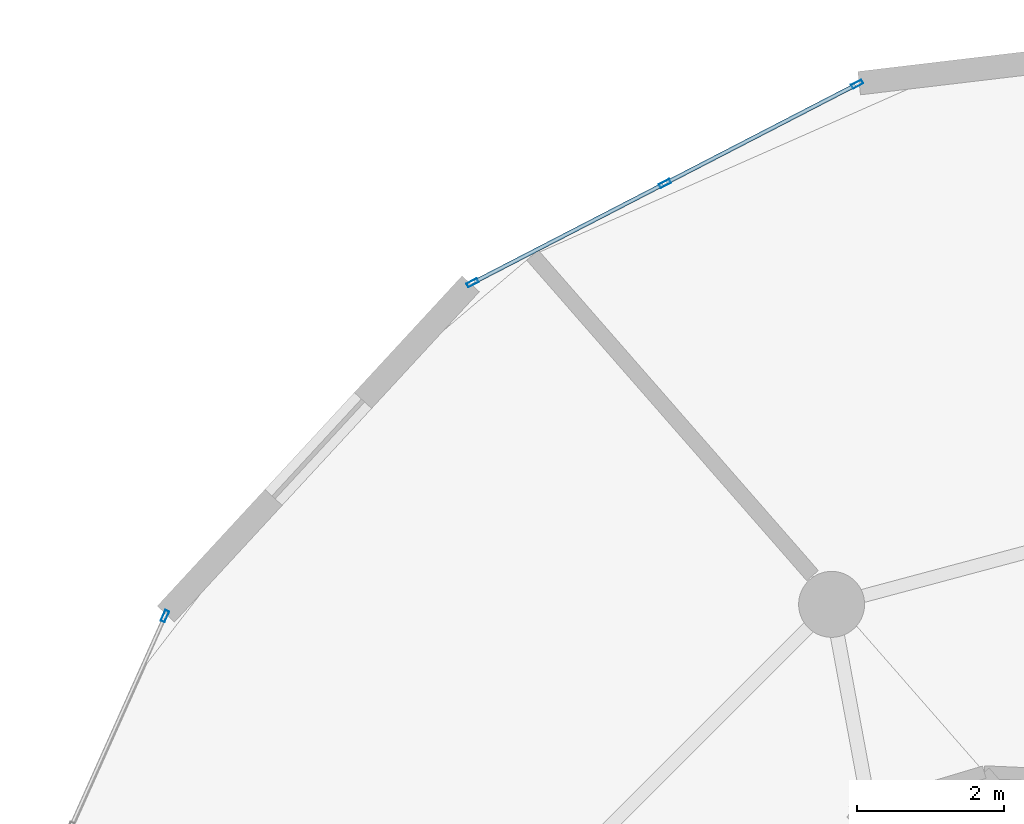
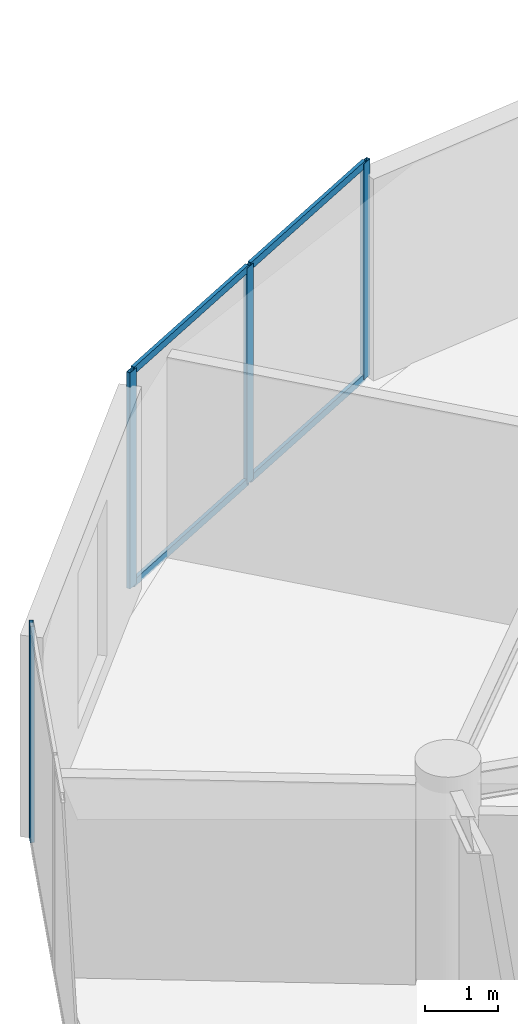
# One storey, part 13 of 22: 8 members, 2 elements without a shape of their own.
"""IFC4 building model written with IfcOpenShell, lengths in metres."""

from ifc_helpers import new_model, si_unit, direction, frame, origin, origin_2d, place, context, subcontext, project, spatial, hollow_rectangle, extrude, source, transform, mapped, material, layer, layer_set, material_profile, profile_set, type_object, element, aggregate, save


model = new_model("IFC4")

# Units and contexts
model_context = context("Model", 3, precision=1e-05, world=origin(), true_north=direction((0.0, 1.0)))
body_context = subcontext(model_context, "Body", "Model", "MODEL_VIEW")
ifc_project = project(units=[si_unit("LENGTHUNIT", "METRE"), si_unit("AREAUNIT", "SQUARE_METRE"), si_unit("VOLUMEUNIT", "CUBIC_METRE"), si_unit("PLANEANGLEUNIT", "RADIAN"), si_unit("MASSUNIT", "GRAM", prefix="KILO")], contexts=[model_context])

# Site, building, storey
site_placement = place(None, origin())
site = spatial("IfcSite", under=ifc_project, at=site_placement, CompositionType="ELEMENT")
building_placement = place(site_placement, origin())
building = spatial("IfcBuilding", under=site, at=building_placement, Name="Solvirekh Grand Hotel", CompositionType="ELEMENT")
storey_placement = place(building_placement, frame((0.0, 0.0, 227.199951171875)))
storey = spatial("IfcBuildingStorey", under=building, at=storey_placement, Name="L59", CompositionType="ELEMENT", Elevation=227.199951171875)

# Curtain wall, members
ifc_material = material(Name="Anodized Bronze Aluminium 6063-T6", Category="aluminium")
ifc_layer = layer(ifc_material, 0.159912109375)
ifc_layer_set = layer_set([ifc_layer], Name="Anodized Bronze Aluminium 6063-T6")
curtain_wall_type = type_object("IfcCurtainWallType", Name="CW_Sys4_HighZoneFlushBronzeCW", PredefinedType="NOTDEFINED", material=ifc_layer_set)
curtain_wall_1_placement = place(storey_placement, origin())
curtain_wall_1 = element("IfcCurtainWall", 1, at=curtain_wall_1_placement, inside=storey, type_object=curtain_wall_type, Name="L59 unitised bronze-glass curtain wall CW-L59-C11", PredefinedType="NOTDEFINED")
ifc_material_profile_1 = material_profile(ifc_material, hollow_rectangle(XDim=0.06005859375, YDim=0.159912109375, WallThickness=0.0048828125, at=origin_2d()), Name="ALU RHS 160X60X5")
ifc_profile_set_1 = profile_set([ifc_material_profile_1], Name="Anodized Bronze Aluminium 6063-T6")
member_type_1 = type_object("IfcMemberType", Name="CWMullion_Sys4", PredefinedType="MULLION", material=ifc_profile_set_1)
shared_shape_1 = source(origin(), body_context, "Body", "SweptSolid", [
    extrude(hollow_rectangle(XDim=0.06005859375, YDim=0.159912109375, WallThickness=0.0048828125, at=origin_2d()), origin(), (0.0, 0.0, 1.0), 3.60009765625),
])
member_1_placement = place(storey_placement, frame((-7.550537109375, 20.78125, 0.0), z_axis=(0.0, 0.0, 1.0), x_axis=(0.45890759983, -0.888483998065, 0.0)))
member_1 = element("IfcMember", 2, at=member_1_placement, type_object=member_type_1, Name="U04 mullion 1", PredefinedType="MULLION", context=body_context, shape_type="MappedRepresentation", body=[
    mapped(shared_shape_1, transform((0.0, 0.0, 0.0), x_axis=(1.0, 0.0, 0.0), y_axis=(0.0, 1.0, 0.0), z_axis=(0.0, 0.0, 1.0), scale=1.0)),
])
member_2_placement = place(storey_placement, frame((-10.174560546875, 19.426025390625, 0.0), z_axis=(0.0, 0.0, 1.0), x_axis=(0.45890759983, -0.888483998065, 0.0)))
member_2 = element("IfcMember", 3, at=member_2_placement, type_object=member_type_1, Name="U04 mullion 2", PredefinedType="MULLION", context=body_context, shape_type="MappedRepresentation", body=[
    mapped(shared_shape_1, transform((0.0, 0.0, 0.0), x_axis=(1.0, 0.0, 0.0), y_axis=(0.0, 1.0, 0.0), z_axis=(0.0, 0.0, 1.0), scale=1.0)),
])
member_3_placement = place(storey_placement, frame((-12.79833984375, 18.07080078125, 0.0), z_axis=(0.0, 0.0, 1.0), x_axis=(0.45890759983, -0.888483998065, 0.0)))
member_3 = element("IfcMember", 4, at=member_3_placement, type_object=member_type_1, Name="U04 mullion 3", PredefinedType="MULLION", context=body_context, shape_type="MappedRepresentation", body=[
    mapped(shared_shape_1, transform((0.0, 0.0, 0.0), x_axis=(1.0, 0.0, 0.0), y_axis=(0.0, 1.0, 0.0), z_axis=(0.0, 0.0, 1.0), scale=1.0)),
])

# Curtain wall, member
curtain_wall_2_placement = place(storey_placement, origin())
curtain_wall_2 = element("IfcCurtainWall", 5, at=curtain_wall_2_placement, inside=storey, type_object=curtain_wall_type, Name="L59 unitised bronze-glass curtain wall CW-L59-C13", PredefinedType="NOTDEFINED")
member_4_placement = place(storey_placement, frame((-16.996337890625, 13.523681640625, 0.0), z_axis=(0.0, 0.0, 1.0), x_axis=(0.912821322646, -0.408359195958, 0.0)))
member_4 = element("IfcMember", 6, at=member_4_placement, type_object=member_type_1, Name="U04 mullion 1", PredefinedType="MULLION", context=body_context, shape_type="MappedRepresentation", body=[
    mapped(shared_shape_1, transform((0.0, 0.0, 0.0), x_axis=(1.0, 0.0, 0.0), y_axis=(0.0, 1.0, 0.0), z_axis=(0.0, 0.0, 1.0), scale=1.0)),
])
aggregate(curtain_wall_2, [member_4])

# Member
ifc_material_profile_2 = material_profile(ifc_material, hollow_rectangle(XDim=0.054931640625, YDim=0.1201171875, WallThickness=0.00390625, at=origin_2d()), Name="ALU RHS 120X55X4")
ifc_profile_set_2 = profile_set([ifc_material_profile_2], Name="Anodized Bronze Aluminium 6063-T6")
member_type_2 = type_object("IfcMemberType", Name="CWTransom_Sys4", PredefinedType="USERDEFINED", material=ifc_profile_set_2)
shared_shape_2 = source(origin(), body_context, "Body", "SweptSolid", [
    extrude(hollow_rectangle(XDim=0.054931640625, YDim=0.1201171875, WallThickness=0.00390625, at=origin_2d()), origin(), (0.0, 0.0, 1.0), 2.893310546875),
])
member_5_placement = place(storey_placement, frame((-7.577392578125, 20.767578125, 0.027587890625), z_axis=(-0.88845974241, -0.45895455779, 0.0), x_axis=(0.45895455779, -0.88845974241, 0.0)))
member_5 = element("IfcMember", 7, at=member_5_placement, type_object=member_type_2, Name="U04 transom 1.1", ObjectType="TRANSOM", PredefinedType="USERDEFINED", context=body_context, shape_type="MappedRepresentation", body=[
    mapped(shared_shape_2, transform((0.0, 0.0, 0.0), x_axis=(1.0, 0.0, 0.0), y_axis=(0.0, 1.0, 0.0), z_axis=(0.0, 0.0, 1.0), scale=1.0)),
])

member_6_placement = place(storey_placement, frame((-7.577392578125, 20.767578125, 3.572509765625), z_axis=(-0.88845974241, -0.45895455779, 0.0), x_axis=(0.45895455779, -0.88845974241, 0.0)))
member_6 = element("IfcMember", 8, at=member_6_placement, type_object=member_type_2, Name="U04 transom 1.2", ObjectType="TRANSOM", PredefinedType="USERDEFINED", context=body_context, shape_type="MappedRepresentation", body=[
    mapped(shared_shape_2, transform((0.0, 0.0, 0.0), x_axis=(1.0, 0.0, 0.0), y_axis=(0.0, 1.0, 0.0), z_axis=(0.0, 0.0, 1.0), scale=1.0)),
])

member_7_placement = place(storey_placement, frame((-10.201171875, 19.412353515625, 0.027587890625), z_axis=(-0.88845974241, -0.45895455779, 0.0), x_axis=(0.45895455779, -0.88845974241, 0.0)))
member_7 = element("IfcMember", 9, at=member_7_placement, type_object=member_type_2, Name="U04 transom 2.1", ObjectType="TRANSOM", PredefinedType="USERDEFINED", context=body_context, shape_type="MappedRepresentation", body=[
    mapped(shared_shape_2, transform((0.0, 0.0, 0.0), x_axis=(1.0, 0.0, 0.0), y_axis=(0.0, 1.0, 0.0), z_axis=(0.0, 0.0, 1.0), scale=1.0)),
])

member_8_placement = place(storey_placement, frame((-10.201171875, 19.412353515625, 3.572509765625), z_axis=(-0.88845974241, -0.45895455779, 0.0), x_axis=(0.45895455779, -0.88845974241, 0.0)))
member_8 = element("IfcMember", 10, at=member_8_placement, type_object=member_type_2, Name="U04 transom 2.2", ObjectType="TRANSOM", PredefinedType="USERDEFINED", context=body_context, shape_type="MappedRepresentation", body=[
    mapped(shared_shape_2, transform((0.0, 0.0, 0.0), x_axis=(1.0, 0.0, 0.0), y_axis=(0.0, 1.0, 0.0), z_axis=(0.0, 0.0, 1.0), scale=1.0)),
])

aggregate(curtain_wall_1, [member_1, member_2, member_3, member_5, member_6, member_7, member_8])

save(model, "model.ifc")
